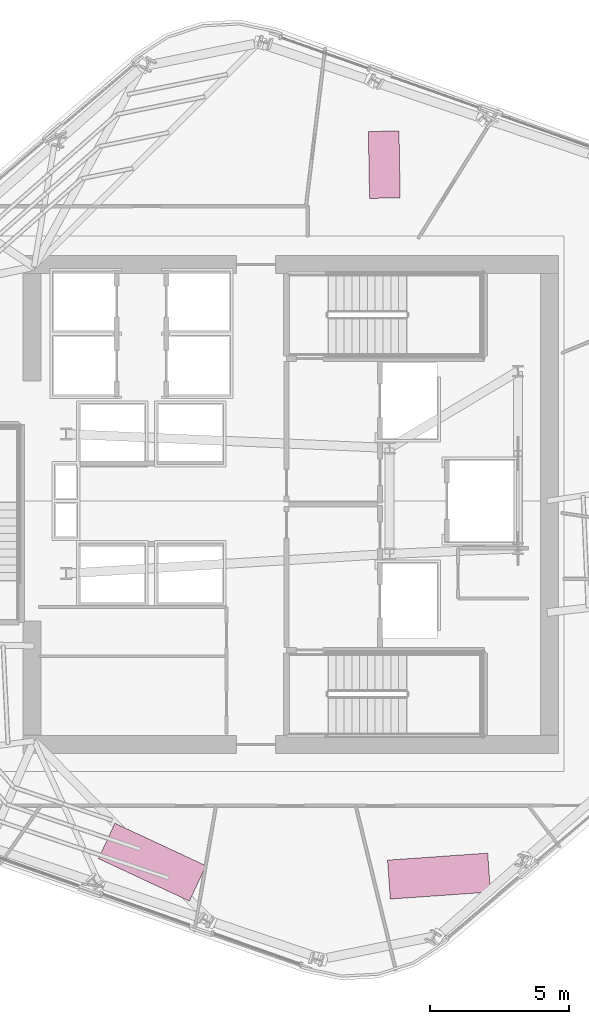
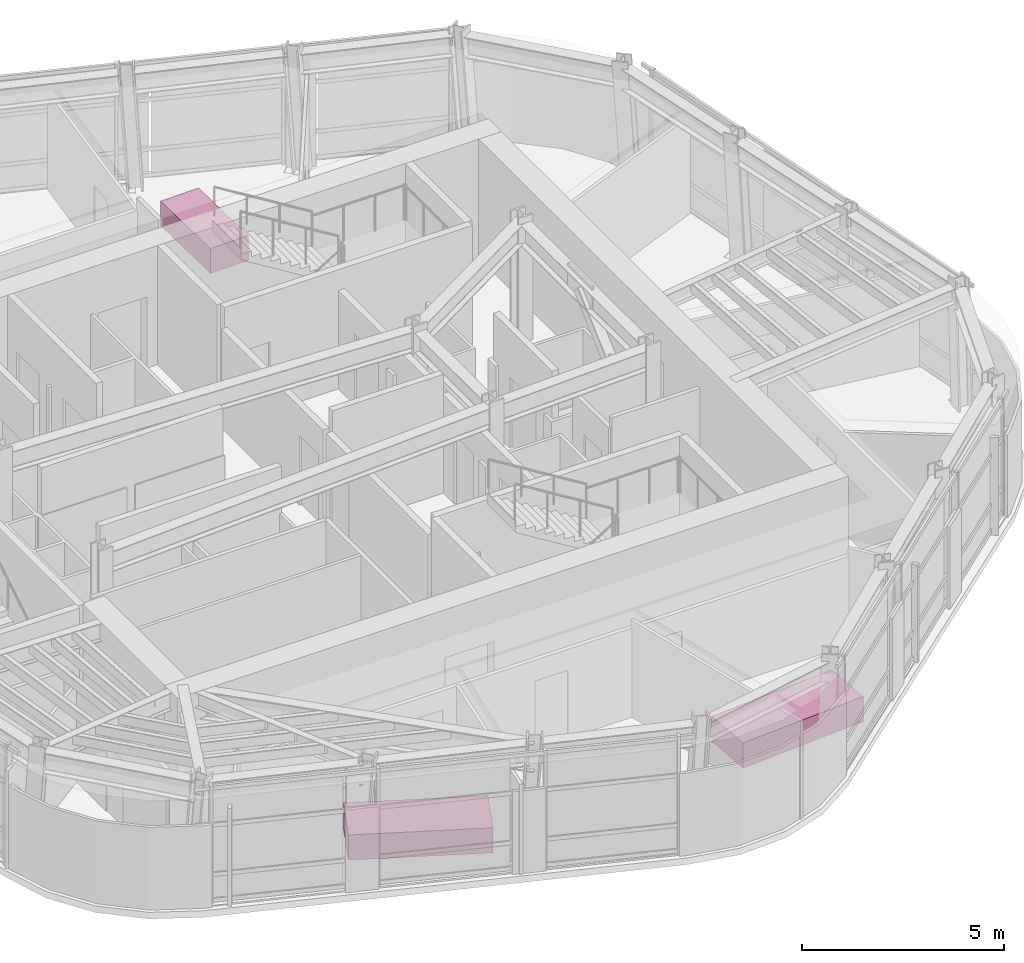
# One storey, part 14 of 14: 3 furniture elements.
"""IFC4 building model written with IfcOpenShell, lengths in metres."""

import ifcopenshell
import ifcopenshell.guid

model = None  # the IFC model being written
_history = None  # IfcOwnerHistory: only IFC2X3 demands one
_inside = {}  # id of a spatial element -> (the spatial element, [elements in it])
_under = {}  # id of a project, library or spatial element -> (it, [spatial elements below it])
_declared = {}  # id of a project -> (the project, [libraries it declares])
_typed = {}  # id of a type object -> (the type object, [elements of that type])
_made_of = {}  # id of a material, layer set ... -> (it, [elements and type objects made of it])


def new_model(schema):
    """Start an empty IFC model of exactly this schema.

    Asked for "IFC4X3", IfcOpenShell would pick the latest addendum, in which some entities
    have other attributes; the version numbers below select the first issue.
    IFC2X3 requires an IfcOwnerHistory on every rooted entity: one is made here for all.
    """
    global model, _history
    if schema == "IFC4X3":
        model = ifcopenshell.file(schema_version=(4, 3, 0, 0))
    else:
        model = ifcopenshell.file(schema=schema)
    _inside.clear()
    _under.clear()
    _declared.clear()
    _typed.clear()
    _made_of.clear()
    _history = None
    if model.schema == "IFC2X3":
        org = make("IfcOrganization", Name="unknown")
        user = make(
            "IfcPersonAndOrganization",
            ThePerson=make("IfcPerson", FamilyName="unknown"),
            TheOrganization=org,
        )
        app = make(
            "IfcApplication",
            ApplicationDeveloper=org,
            Version="unknown",
            ApplicationFullName="unknown",
            ApplicationIdentifier="unknown",
        )
        _history = make(
            "IfcOwnerHistory",
            OwningUser=user,
            OwningApplication=app,
            ChangeAction="ADDED",
            CreationDate=0,
        )
    return model


def make(cls, **values):
    """One entity of the class cls with the attributes given. An attribute that is None is left unset."""
    return model.create_entity(
        cls, **{name: value for name, value in values.items() if value is not None}
    )


def rooted(cls, **values):
    """An entity with a GlobalId (a new one), such as an element, a storey or a relation."""
    return make(cls, GlobalId=ifcopenshell.guid.new(), OwnerHistory=_history, **values)


def si_unit(unit_type, name, prefix=None):
    """IfcSIUnit, for example si_unit("LENGTHUNIT", "METRE", prefix="MILLI")."""
    return make("IfcSIUnit", UnitType=unit_type, Prefix=prefix, Name=name)


def assignment(units):
    """IfcUnitAssignment: the units of a project."""
    return None if units is None else make("IfcUnitAssignment", Units=units)


def point(xyz):
    """IfcCartesianPoint."""
    return None if xyz is None else make("IfcCartesianPoint", Coordinates=xyz)


def direction(xyz):
    """IfcDirection."""
    return None if xyz is None else make("IfcDirection", DirectionRatios=xyz)


def frame(location, z_axis=None, x_axis=None):
    """IfcAxis2Placement3D, a coordinate frame: its origin and axes. An axis left out is left unset."""
    return make(
        "IfcAxis2Placement3D",
        Location=point(location),
        Axis=direction(z_axis),
        RefDirection=direction(x_axis),
    )


def frame_2d(location, x_axis=None):
    """IfcAxis2Placement2D, a coordinate frame in the plane: its origin and x axis."""
    return make(
        "IfcAxis2Placement2D", Location=point(location), RefDirection=direction(x_axis)
    )


def origin():
    """The frame at (0, 0, 0) with its axes left unset."""
    return frame((0.0, 0.0, 0.0))


def origin_2d():
    """The frame at (0, 0) in the plane with its x axis left unset."""
    return frame_2d((0.0, 0.0))


def place(relative_to, where):
    """IfcLocalPlacement: puts the frame where relative to a parent placement (None: the world)."""
    return make(
        "IfcLocalPlacement", PlacementRelTo=relative_to, RelativePlacement=where
    )


def context(
    kind, dimensions, precision=None, world=None, true_north=None, identifier=None
):
    """IfcGeometricRepresentationContext, for example the 3D "Model" context."""
    return make(
        "IfcGeometricRepresentationContext",
        ContextIdentifier=identifier,
        ContextType=kind,
        CoordinateSpaceDimension=dimensions,
        Precision=precision,
        WorldCoordinateSystem=world,
        TrueNorth=true_north,
    )


def subcontext(parent, identifier, kind, view, scale=None):
    """IfcGeometricRepresentationSubContext, for example "Body" below "Model"."""
    return make(
        "IfcGeometricRepresentationSubContext",
        ContextIdentifier=identifier,
        ContextType=kind,
        ParentContext=parent,
        TargetScale=scale,
        TargetView=view,
    )


def project(units=None, contexts=None):
    """IfcProject with its units and contexts."""
    return rooted(
        "IfcProject",
        Name="project",
        RepresentationContexts=contexts,
        UnitsInContext=assignment(units),
    )


def spatial(cls, under=None, at=None, **own):
    """A site, building, storey or space (cls), placed at a placement, below another one or the project."""
    s = rooted(cls, ObjectPlacement=at, **own)
    if under is not None:
        _under.setdefault(under.id(), (under, []))[1].append(s)
    return s


def profile(cls, at=None, kind="AREA", **sizes):
    """A parametric profile (cls). Its sizes go by their IFC names, for example OverallWidth=200.0."""
    return make(cls, ProfileType=kind, Position=at, **sizes)


def rectangle(**sizes):
    """IfcRectangleProfileDef."""
    return profile("IfcRectangleProfileDef", **sizes)


def extrude(swept, where, along, depth):
    """IfcExtrudedAreaSolid: the profile swept, set in the frame where, extruded along a direction by depth."""
    return make(
        "IfcExtrudedAreaSolid",
        SweptArea=swept,
        Position=where,
        ExtrudedDirection=direction(along),
        Depth=depth,
    )


def shape(context_of_items, identifier, shape_type, items):
    """IfcShapeRepresentation: the items that make up one representation, for example the "Body"."""
    return make(
        "IfcShapeRepresentation",
        ContextOfItems=context_of_items,
        RepresentationIdentifier=identifier,
        RepresentationType=shape_type,
        Items=items,
    )


def material(Name=None, Category=None):
    """IfcMaterial."""
    return make("IfcMaterial", Name=Name, Category=Category)


def made_of(thing, what):
    """Note that an element or type object is made of a material, layer set ...; save() writes the relation."""
    if what is not None:
        _made_of.setdefault(what.id(), (what, []))[1].append(thing)
    return thing


def type_object(cls, material=None, **own):
    """A type object (cls), such as IfcWallType, which elements share."""
    return made_of(rooted(cls, **own), material)


def element(
    cls,
    number,
    at=None,
    inside=None,
    cuts=None,
    type_object=None,
    material=None,
    context=None,
    identifier="Body",
    shape_type=None,
    held_by="IfcProductDefinitionShape",
    body=None,
    shapes=None,
    **own,
):
    """One element of the class cls, such as IfcWall. Its Tag is "e" and its number.

    at: its placement. inside: the storey or other place that contains it. cuts: it is an
    opening in that element (IfcRelVoidsElement). A single representation is given by context,
    identifier, shape_type and body (its items); several are given by shapes. held_by: the class
    of the entity that holds the representations. save() writes the other relations.
    """
    e = rooted(cls, Tag="e%d" % number, ObjectPlacement=at, **own)
    if body is not None:
        shapes = [shape(context, identifier, shape_type, body)]
    if shapes is not None:
        e.Representation = make(held_by, Representations=shapes)
    if inside is not None:
        _inside.setdefault(inside.id(), (inside, []))[1].append(e)
    if cuts is not None:
        rooted(
            "IfcRelVoidsElement", RelatingBuildingElement=cuts, RelatedOpeningElement=e
        )
    if type_object is not None:
        _typed.setdefault(type_object.id(), (type_object, []))[1].append(e)
    return made_of(e, material)


def aggregate(whole, parts):
    """IfcRelAggregates: a whole, such as a stair, and the parts it consists of."""
    return rooted("IfcRelAggregates", RelatingObject=whole, RelatedObjects=parts)


def save(model, path):
    """Write the relations noted so far, then the file.

    IfcRelAggregates (storeys below a building ...), IfcRelContainedInSpatialStructure (elements
    in a storey), IfcRelDefinesByType, IfcRelAssociatesMaterial and IfcRelDeclares: one each for
    every whole, place, type object, material and project.
    """
    for whole, parts in _under.values():
        aggregate(whole, parts)
    for where, things in _inside.values():
        rooted(
            "IfcRelContainedInSpatialStructure",
            RelatedElements=things,
            RelatingStructure=where,
        )
    for kind, things in _typed.values():
        rooted("IfcRelDefinesByType", RelatedObjects=things, RelatingType=kind)
    for what, things in _made_of.values():
        rooted("IfcRelAssociatesMaterial", RelatedObjects=things, RelatingMaterial=what)
    for by, libraries in _declared.values():
        rooted("IfcRelDeclares", RelatingContext=by, RelatedDefinitions=libraries)
    model.write(path)


model = new_model("IFC4")

# Units and contexts
model_context = context("Model", 3, precision=1e-05, world=origin(), true_north=direction((0.0, 1.0)))
body_context = subcontext(model_context, "Body", "Model", "MODEL_VIEW")
ifc_project = project(units=[si_unit("LENGTHUNIT", "METRE"), si_unit("AREAUNIT", "SQUARE_METRE"), si_unit("VOLUMEUNIT", "CUBIC_METRE"), si_unit("PLANEANGLEUNIT", "RADIAN"), si_unit("MASSUNIT", "GRAM", prefix="KILO")], contexts=[model_context])

# Site, building, storey
site_placement = place(None, origin())
site = spatial("IfcSite", under=ifc_project, at=site_placement, CompositionType="ELEMENT")
building_placement = place(site_placement, origin())
building = spatial("IfcBuilding", under=site, at=building_placement, Name="Valkerne Bourse Tower", CompositionType="ELEMENT")
storey_placement = place(building_placement, frame((0.0, 0.0, 198.0)))
storey = spatial("IfcBuildingStorey", under=building, at=storey_placement, Name="L50", CompositionType="ELEMENT", Elevation=198.0)

# Furniture
ifc_material = material(Name="Architectural White Oak Timber", Category="wood")
furniture_type_1 = type_object("IfcFurnitureType", Name="FURN-CONF-3600", AssemblyPlace="NOTDEFINED", PredefinedType="TABLE", material=ifc_material)
for number, where, z_axis, x_axis, name in (
    (1, (41.8330078125, 14.049072265625, 0.044921875), (0.0, 0.0, 1.0), (-0.906307787037, 0.422618261741, 0.0), "L50 Suite Worktable 05"),
    (2, (52.116943359375, 13.550048828125, 0.044921875), (0.0, 0.0, 1.0), (0.99756405026, 0.069756473744, 0.0), "L50 Suite Worktable 06"),
):
    element("IfcFurniture", number, at=place(storey_placement, frame(where, z_axis=z_axis, x_axis=x_axis)), inside=storey, type_object=furniture_type_1, Name=name, PredefinedType="TABLE", context=body_context, shape_type="SweptSolid", body=[
        extrude(rectangle(XDim=3.60009765625, YDim=1.39990234375, at=origin_2d()), origin(), (0.0, 0.0, 1.0), 0.760009765625),
    ])
furniture_type_2 = type_object("IfcFurnitureType", Name="FURN-DESK-2400", AssemblyPlace="NOTDEFINED", PredefinedType="DESK", material=ifc_material)
furniture_placement = place(storey_placement, frame((50.155029296875, 39.056884765625, 0.044921875), z_axis=(0.0, 0.0, 1.0), x_axis=(-0.017452406437, 0.999847695156, 0.0)))
element("IfcFurniture", 3, at=furniture_placement, inside=storey, type_object=furniture_type_2, Name="L50 Suite Worktable 09", PredefinedType="DESK", context=body_context, shape_type="SweptSolid", body=[
    extrude(rectangle(XDim=2.39990234375, YDim=1.10009765625, at=origin_2d()), origin(), (0.0, 0.0, 1.0), 0.75),
])

save(model, "model.ifc")
